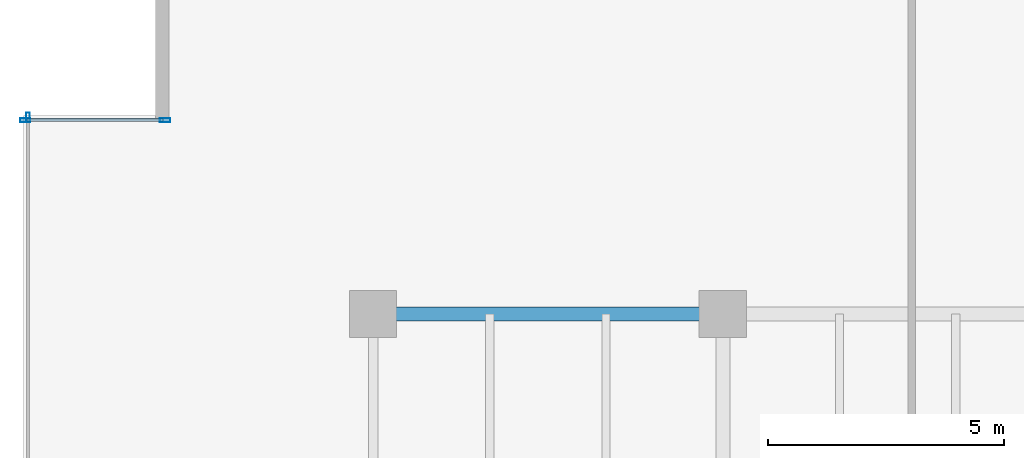
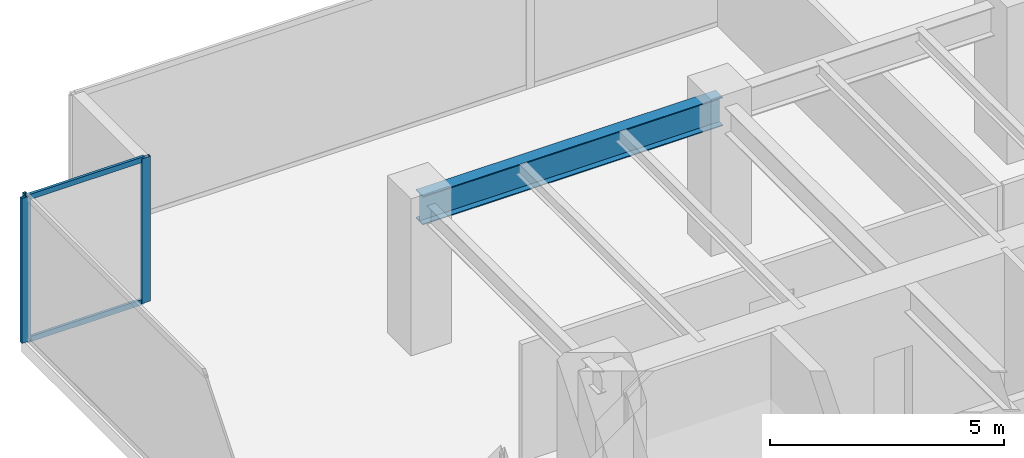
# One storey, part 12 of 35: 5 members, 1 beam, 2 elements without a shape of their own.
"""IFC4 building model written with IfcOpenShell, lengths in metres."""

import ifcopenshell
import ifcopenshell.guid

model = None  # the IFC model being written
_history = None  # IfcOwnerHistory: only IFC2X3 demands one
_inside = {}  # id of a spatial element -> (the spatial element, [elements in it])
_under = {}  # id of a project, library or spatial element -> (it, [spatial elements below it])
_declared = {}  # id of a project -> (the project, [libraries it declares])
_typed = {}  # id of a type object -> (the type object, [elements of that type])
_made_of = {}  # id of a material, layer set ... -> (it, [elements and type objects made of it])


def new_model(schema):
    """Start an empty IFC model of exactly this schema.

    Asked for "IFC4X3", IfcOpenShell would pick the latest addendum, in which some entities
    have other attributes; the version numbers below select the first issue.
    IFC2X3 requires an IfcOwnerHistory on every rooted entity: one is made here for all.
    """
    global model, _history
    if schema == "IFC4X3":
        model = ifcopenshell.file(schema_version=(4, 3, 0, 0))
    else:
        model = ifcopenshell.file(schema=schema)
    _inside.clear()
    _under.clear()
    _declared.clear()
    _typed.clear()
    _made_of.clear()
    _history = None
    if model.schema == "IFC2X3":
        org = make("IfcOrganization", Name="unknown")
        user = make(
            "IfcPersonAndOrganization",
            ThePerson=make("IfcPerson", FamilyName="unknown"),
            TheOrganization=org,
        )
        app = make(
            "IfcApplication",
            ApplicationDeveloper=org,
            Version="unknown",
            ApplicationFullName="unknown",
            ApplicationIdentifier="unknown",
        )
        _history = make(
            "IfcOwnerHistory",
            OwningUser=user,
            OwningApplication=app,
            ChangeAction="ADDED",
            CreationDate=0,
        )
    return model


def make(cls, **values):
    """One entity of the class cls with the attributes given. An attribute that is None is left unset."""
    return model.create_entity(
        cls, **{name: value for name, value in values.items() if value is not None}
    )


def rooted(cls, **values):
    """An entity with a GlobalId (a new one), such as an element, a storey or a relation."""
    return make(cls, GlobalId=ifcopenshell.guid.new(), OwnerHistory=_history, **values)


def si_unit(unit_type, name, prefix=None):
    """IfcSIUnit, for example si_unit("LENGTHUNIT", "METRE", prefix="MILLI")."""
    return make("IfcSIUnit", UnitType=unit_type, Prefix=prefix, Name=name)


def assignment(units):
    """IfcUnitAssignment: the units of a project."""
    return None if units is None else make("IfcUnitAssignment", Units=units)


def point(xyz):
    """IfcCartesianPoint."""
    return None if xyz is None else make("IfcCartesianPoint", Coordinates=xyz)


def direction(xyz):
    """IfcDirection."""
    return None if xyz is None else make("IfcDirection", DirectionRatios=xyz)


def frame(location, z_axis=None, x_axis=None):
    """IfcAxis2Placement3D, a coordinate frame: its origin and axes. An axis left out is left unset."""
    return make(
        "IfcAxis2Placement3D",
        Location=point(location),
        Axis=direction(z_axis),
        RefDirection=direction(x_axis),
    )


def frame_2d(location, x_axis=None):
    """IfcAxis2Placement2D, a coordinate frame in the plane: its origin and x axis."""
    return make(
        "IfcAxis2Placement2D", Location=point(location), RefDirection=direction(x_axis)
    )


def origin():
    """The frame at (0, 0, 0) with its axes left unset."""
    return frame((0.0, 0.0, 0.0))


def origin_2d():
    """The frame at (0, 0) in the plane with its x axis left unset."""
    return frame_2d((0.0, 0.0))


def place(relative_to, where):
    """IfcLocalPlacement: puts the frame where relative to a parent placement (None: the world)."""
    return make(
        "IfcLocalPlacement", PlacementRelTo=relative_to, RelativePlacement=where
    )


def context(
    kind, dimensions, precision=None, world=None, true_north=None, identifier=None
):
    """IfcGeometricRepresentationContext, for example the 3D "Model" context."""
    return make(
        "IfcGeometricRepresentationContext",
        ContextIdentifier=identifier,
        ContextType=kind,
        CoordinateSpaceDimension=dimensions,
        Precision=precision,
        WorldCoordinateSystem=world,
        TrueNorth=true_north,
    )


def subcontext(parent, identifier, kind, view, scale=None):
    """IfcGeometricRepresentationSubContext, for example "Body" below "Model"."""
    return make(
        "IfcGeometricRepresentationSubContext",
        ContextIdentifier=identifier,
        ContextType=kind,
        ParentContext=parent,
        TargetScale=scale,
        TargetView=view,
    )


def project(units=None, contexts=None):
    """IfcProject with its units and contexts."""
    return rooted(
        "IfcProject",
        Name="project",
        RepresentationContexts=contexts,
        UnitsInContext=assignment(units),
    )


def spatial(cls, under=None, at=None, **own):
    """A site, building, storey or space (cls), placed at a placement, below another one or the project."""
    s = rooted(cls, ObjectPlacement=at, **own)
    if under is not None:
        _under.setdefault(under.id(), (under, []))[1].append(s)
    return s


def profile(cls, at=None, kind="AREA", **sizes):
    """A parametric profile (cls). Its sizes go by their IFC names, for example OverallWidth=200.0."""
    return make(cls, ProfileType=kind, Position=at, **sizes)


def hollow_rectangle(**sizes):
    """IfcRectangleHollowProfileDef."""
    return profile("IfcRectangleHollowProfileDef", **sizes)


def i_section(**sizes):
    """IfcIShapeProfileDef."""
    return profile("IfcIShapeProfileDef", **sizes)


def extrude(swept, where, along, depth):
    """IfcExtrudedAreaSolid: the profile swept, set in the frame where, extruded along a direction by depth."""
    return make(
        "IfcExtrudedAreaSolid",
        SweptArea=swept,
        Position=where,
        ExtrudedDirection=direction(along),
        Depth=depth,
    )


def shape(context_of_items, identifier, shape_type, items):
    """IfcShapeRepresentation: the items that make up one representation, for example the "Body"."""
    return make(
        "IfcShapeRepresentation",
        ContextOfItems=context_of_items,
        RepresentationIdentifier=identifier,
        RepresentationType=shape_type,
        Items=items,
    )


def source(mapping_origin, context_of_items, identifier, shape_type, items):
    """IfcRepresentationMap: a shape defined once, which mapped items show again and again."""
    return make(
        "IfcRepresentationMap",
        MappingOrigin=mapping_origin,
        MappedRepresentation=shape(context_of_items, identifier, shape_type, items),
    )


def transform(
    local_origin,
    x_axis=None,
    y_axis=None,
    z_axis=None,
    scale=None,
    scale2=None,
    scale3=None,
    uniform=True,
):
    """IfcCartesianTransformationOperator3D, or its non-uniform kind. x_axis, y_axis, z_axis: its Axis1, 2, 3."""
    if uniform:
        return make(
            "IfcCartesianTransformationOperator3D",
            Axis1=direction(x_axis),
            Axis2=direction(y_axis),
            LocalOrigin=point(local_origin),
            Scale=scale,
            Axis3=direction(z_axis),
        )
    return make(
        "IfcCartesianTransformationOperator3DnonUniform",
        Axis1=direction(x_axis),
        Axis2=direction(y_axis),
        LocalOrigin=point(local_origin),
        Scale=scale,
        Axis3=direction(z_axis),
        Scale2=scale2,
        Scale3=scale3,
    )


def mapped(mapping_source, mapping_target):
    """IfcMappedItem: shows the shape of a source again, moved by a transform."""
    return make(
        "IfcMappedItem", MappingSource=mapping_source, MappingTarget=mapping_target
    )


def material(Name=None, Category=None):
    """IfcMaterial."""
    return make("IfcMaterial", Name=Name, Category=Category)


def layer(
    of_material, thickness, ventilated=None, Name=None, Category=None, Priority=None
):
    """IfcMaterialLayer: one layer of a wall or slab, of a material (None: an air gap)."""
    return make(
        "IfcMaterialLayer",
        Material=of_material,
        LayerThickness=thickness,
        IsVentilated=ventilated,
        Name=Name,
        Category=Category,
        Priority=Priority,
    )


def layer_set(layers, Name=None):
    """IfcMaterialLayerSet."""
    return make("IfcMaterialLayerSet", MaterialLayers=layers, LayerSetName=Name)


def material_profile(
    of_material, cross_section, Name=None, Category=None, Priority=None
):
    """IfcMaterialProfile: a cross section and its material."""
    return make(
        "IfcMaterialProfile",
        Name=Name,
        Material=of_material,
        Profile=cross_section,
        Priority=Priority,
        Category=Category,
    )


def profile_set(profiles, Name=None, composite=None):
    """IfcMaterialProfileSet."""
    return make(
        "IfcMaterialProfileSet",
        Name=Name,
        MaterialProfiles=profiles,
        CompositeProfile=composite,
    )


def made_of(thing, what):
    """Note that an element or type object is made of a material, layer set ...; save() writes the relation."""
    if what is not None:
        _made_of.setdefault(what.id(), (what, []))[1].append(thing)
    return thing


def type_object(cls, material=None, **own):
    """A type object (cls), such as IfcWallType, which elements share."""
    return made_of(rooted(cls, **own), material)


def type_shapes(of_type, sources):
    """Give a type object the sources (RepresentationMaps) that its elements show as mapped items."""
    of_type.RepresentationMaps = sources


def element(
    cls,
    number,
    at=None,
    inside=None,
    cuts=None,
    type_object=None,
    material=None,
    context=None,
    identifier="Body",
    shape_type=None,
    held_by="IfcProductDefinitionShape",
    body=None,
    shapes=None,
    **own,
):
    """One element of the class cls, such as IfcWall. Its Tag is "e" and its number.

    at: its placement. inside: the storey or other place that contains it. cuts: it is an
    opening in that element (IfcRelVoidsElement). A single representation is given by context,
    identifier, shape_type and body (its items); several are given by shapes. held_by: the class
    of the entity that holds the representations. save() writes the other relations.
    """
    e = rooted(cls, Tag="e%d" % number, ObjectPlacement=at, **own)
    if body is not None:
        shapes = [shape(context, identifier, shape_type, body)]
    if shapes is not None:
        e.Representation = make(held_by, Representations=shapes)
    if inside is not None:
        _inside.setdefault(inside.id(), (inside, []))[1].append(e)
    if cuts is not None:
        rooted(
            "IfcRelVoidsElement", RelatingBuildingElement=cuts, RelatedOpeningElement=e
        )
    if type_object is not None:
        _typed.setdefault(type_object.id(), (type_object, []))[1].append(e)
    return made_of(e, material)


def aggregate(whole, parts):
    """IfcRelAggregates: a whole, such as a stair, and the parts it consists of."""
    return rooted("IfcRelAggregates", RelatingObject=whole, RelatedObjects=parts)


def save(model, path):
    """Write the relations noted so far, then the file.

    IfcRelAggregates (storeys below a building ...), IfcRelContainedInSpatialStructure (elements
    in a storey), IfcRelDefinesByType, IfcRelAssociatesMaterial and IfcRelDeclares: one each for
    every whole, place, type object, material and project.
    """
    for whole, parts in _under.values():
        aggregate(whole, parts)
    for where, things in _inside.values():
        rooted(
            "IfcRelContainedInSpatialStructure",
            RelatedElements=things,
            RelatingStructure=where,
        )
    for kind, things in _typed.values():
        rooted("IfcRelDefinesByType", RelatedObjects=things, RelatingType=kind)
    for what, things in _made_of.values():
        rooted("IfcRelAssociatesMaterial", RelatedObjects=things, RelatingMaterial=what)
    for by, libraries in _declared.values():
        rooted("IfcRelDeclares", RelatingContext=by, RelatedDefinitions=libraries)
    model.write(path)


model = new_model("IFC4")

# Units and contexts
model_context = context("Model", 3, precision=1e-05, world=origin(), true_north=direction((0.0, 1.0)))
body_context = subcontext(model_context, "Body", "Model", "MODEL_VIEW")
ifc_project = project(units=[si_unit("LENGTHUNIT", "METRE"), si_unit("AREAUNIT", "SQUARE_METRE"), si_unit("VOLUMEUNIT", "CUBIC_METRE"), si_unit("PLANEANGLEUNIT", "RADIAN"), si_unit("MASSUNIT", "GRAM", prefix="KILO")], contexts=[model_context])

# Site, building, storey
site_placement = place(None, origin())
site = spatial("IfcSite", under=ifc_project, at=site_placement, CompositionType="ELEMENT")
building_placement = place(site_placement, origin())
building = spatial("IfcBuilding", under=site, at=building_placement, Name="Haelvirn Gate Laboratories", CompositionType="ELEMENT")
storey_placement = place(building_placement, frame((0.0, 0.0, 58.0)))
storey = spatial("IfcBuildingStorey", under=building, at=storey_placement, Name="L14", CompositionType="ELEMENT", Elevation=58.0)

# Beam
ifc_material_1 = material(Name="Steel SM355", Category="steel")
ifc_material_profile_1 = material_profile(ifc_material_1, i_section(OverallWidth=0.300048828125, OverallDepth=0.75, WebThickness=0.013916015625, FlangeThickness=0.02392578125, at=origin_2d()), Name="H-750x300x14x24")
ifc_profile_set_1 = profile_set([ifc_material_profile_1], Name="Steel SM355")
beam_type = type_object("IfcBeamType", Name="BM-G-750", PredefinedType="BEAM", material=ifc_profile_set_1)
shared_shape_1 = source(origin(), body_context, "Body", "SweptSolid", [
    extrude(i_section(OverallWidth=0.300048828125, OverallDepth=0.75, WebThickness=0.013916015625, FlangeThickness=0.02392578125, at=origin_2d()), origin(), (0.0, 0.0, 1.0), 7.400146484375),
])
type_shapes(beam_type, [shared_shape_1])
beam_placement = place(storey_placement, frame((7.39990234375, 41.60009765625, 3.405029296875), z_axis=(1.0, 0.0, 0.0), x_axis=(0.0, 1.0, 0.0)))
element("IfcBeam", 1, at=beam_placement, inside=storey, type_object=beam_type, Name="L14 Primary Girder Y41.6 (7.4-14.8)", PredefinedType="BEAM", context=body_context, shape_type="MappedRepresentation", body=[
    mapped(shared_shape_1, transform((0.0, 0.0, 0.0), scale=1.0)),
])

# Curtain wall, member
ifc_material_2 = material(Name="Anodised bronze unitised aluminium & triple low-E glass", Category="aluminium")
ifc_layer_1 = layer(ifc_material_2, 0.18408203125, Name="CW-SYS-2")
ifc_layer_set_1 = layer_set([ifc_layer_1], Name="Anodised bronze unitised aluminium & triple low-E glass")
curtain_wall_type_1 = type_object("IfcCurtainWallType", Name="CW-SYS-2", PredefinedType="NOTDEFINED", material=ifc_layer_set_1)
curtain_wall_1_placement = place(storey_placement, origin())
curtain_wall_1 = element("IfcCurtainWall", 2, at=curtain_wall_1_placement, inside=storey, type_object=curtain_wall_type_1, Name="L14 Unitised Curtain Wall CW-L14-P0-E17", PredefinedType="NOTDEFINED")
ifc_material_3 = material(Name="Extruded aluminium 6063-T6 (anodised bronze)", Category="aluminium")
ifc_material_profile_2 = material_profile(ifc_material_3, hollow_rectangle(XDim=0.074951171875, YDim=0.199951171875, WallThickness=0.0048828125, at=origin_2d()), Name="CWM-200x75x5")
ifc_profile_set_2 = profile_set([ifc_material_profile_2], Name="Extruded aluminium 6063-T6 (anodised bronze)")
member_type_1 = type_object("IfcMemberType", Name="CWM-T200", PredefinedType="MULLION", material=ifc_profile_set_2)
shared_shape_2 = source(origin(), body_context, "Body", "SweptSolid", [
    extrude(hollow_rectangle(XDim=0.074951171875, YDim=0.199951171875, WallThickness=0.0048828125, at=origin_2d()), origin(), (0.0, 0.0, 1.0), 3.780029296875),
])
type_shapes(member_type_1, [shared_shape_2])
member_1_placement = place(storey_placement, frame((0.10009765625, 45.762451171875, 0.0), z_axis=(0.0, 0.0, 1.0), x_axis=(1.0, 0.0, 0.0)))
member_1 = element("IfcMember", 3, at=member_1_placement, type_object=member_type_1, Name="CW2 mullion 1", PredefinedType="MULLION", context=body_context, shape_type="MappedRepresentation", body=[
    mapped(shared_shape_2, transform((0.0, 0.0, 0.0), scale=1.0)),
])
aggregate(curtain_wall_1, [member_1])

# Curtain wall, members
ifc_layer_2 = layer(ifc_material_2, 0.181884765625, Name="CW-SYS-5")
ifc_layer_set_2 = layer_set([ifc_layer_2], Name="Anodised bronze unitised aluminium & triple low-E glass")
curtain_wall_type_2 = type_object("IfcCurtainWallType", Name="CW-SYS-5", PredefinedType="NOTDEFINED", material=ifc_layer_set_2)
curtain_wall_2_placement = place(storey_placement, origin())
curtain_wall_2 = element("IfcCurtainWall", 4, at=curtain_wall_2_placement, inside=storey, type_object=curtain_wall_type_2, Name="L14 Unitised Curtain Wall CW-L14-P0-E16-1", PredefinedType="NOTDEFINED")
ifc_material_profile_3 = material_profile(ifc_material_3, hollow_rectangle(XDim=0.080078125, YDim=0.219970703125, WallThickness=0.006103515625, at=origin_2d()), Name="CWM-220x80x6")
ifc_profile_set_3 = profile_set([ifc_material_profile_3], Name="Extruded aluminium 6063-T6 (anodised bronze)")
member_type_2 = type_object("IfcMemberType", Name="CWM-T220", PredefinedType="MULLION", material=ifc_profile_set_3)
shared_shape_3 = source(origin(), body_context, "Body", "SweptSolid", [
    extrude(hollow_rectangle(XDim=0.080078125, YDim=0.219970703125, WallThickness=0.006103515625, at=origin_2d()), origin(), (0.0, 0.0, 1.0), 3.780029296875),
])
type_shapes(member_type_2, [shared_shape_3])
member_2_placement = place(storey_placement, frame((0.0400390625, 45.699951171875, 0.0), z_axis=(0.0, 0.0, 1.0), x_axis=(0.0, 1.0, 0.0)))
member_2 = element("IfcMember", 5, at=member_2_placement, type_object=member_type_2, Name="CW5 mullion 1", PredefinedType="MULLION", context=body_context, shape_type="MappedRepresentation", body=[
    mapped(shared_shape_3, transform((0.0, 0.0, 0.0), scale=1.0)),
])
member_3_placement = place(storey_placement, frame((3.0, 45.699951171875, 0.0), z_axis=(0.0, 0.0, 1.0), x_axis=(0.0, 1.0, 0.0)))
member_3 = element("IfcMember", 6, at=member_3_placement, type_object=member_type_2, Name="CW5 mullion 2", PredefinedType="MULLION", context=body_context, shape_type="MappedRepresentation", body=[
    mapped(shared_shape_3, transform((0.0, 0.0, 0.0), scale=1.0)),
])
ifc_material_profile_4 = material_profile(ifc_material_3, hollow_rectangle(XDim=0.06494140625, YDim=0.139892578125, WallThickness=0.00390625, at=origin_2d()), Name="CWT-140x65x4")
ifc_profile_set_4 = profile_set([ifc_material_profile_4], Name="Extruded aluminium 6063-T6 (anodised bronze)")
member_type_3 = type_object("IfcMemberType", Name="CWT-T140", PredefinedType="USERDEFINED", material=ifc_profile_set_4)
shared_shape_4 = source(origin(), body_context, "Body", "SweptSolid", [
    extrude(hollow_rectangle(XDim=0.06494140625, YDim=0.139892578125, WallThickness=0.00390625, at=origin_2d()), origin(), (0.0, 0.0, 1.0), 2.8798828125),
])
type_shapes(member_type_3, [shared_shape_4])
member_4_placement = place(storey_placement, frame((0.080078125, 45.699951171875, 0.032470703125), z_axis=(1.0, 0.0, 0.0), x_axis=(0.0, 1.0, 0.0)))
member_4 = element("IfcMember", 7, at=member_4_placement, type_object=member_type_3, Name="CW5 transom 1.1", ObjectType="TRANSOM", PredefinedType="USERDEFINED", context=body_context, shape_type="MappedRepresentation", body=[
    mapped(shared_shape_4, transform((0.0, 0.0, 0.0), scale=1.0)),
])
member_5_placement = place(storey_placement, frame((0.080078125, 45.699951171875, 3.74755859375), z_axis=(1.0, 0.0, 0.0), x_axis=(0.0, 1.0, 0.0)))
member_5 = element("IfcMember", 8, at=member_5_placement, type_object=member_type_3, Name="CW5 transom 1.2", ObjectType="TRANSOM", PredefinedType="USERDEFINED", context=body_context, shape_type="MappedRepresentation", body=[
    mapped(shared_shape_4, transform((0.0, 0.0, 0.0), scale=1.0)),
])
aggregate(curtain_wall_2, [member_2, member_3, member_4, member_5])

save(model, "model.ifc")
